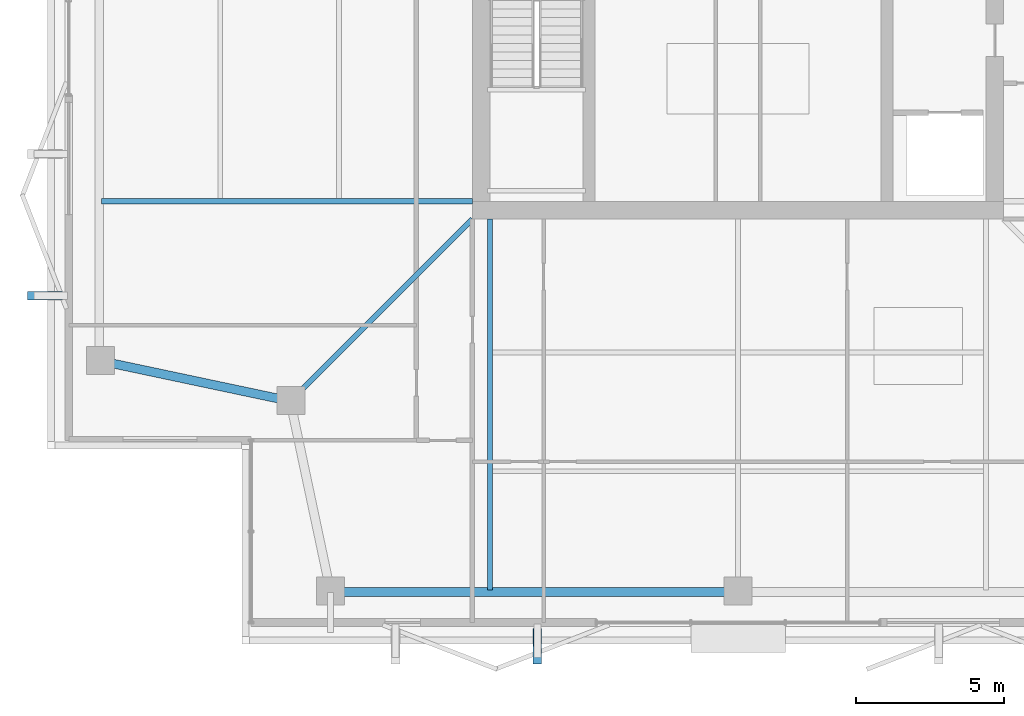
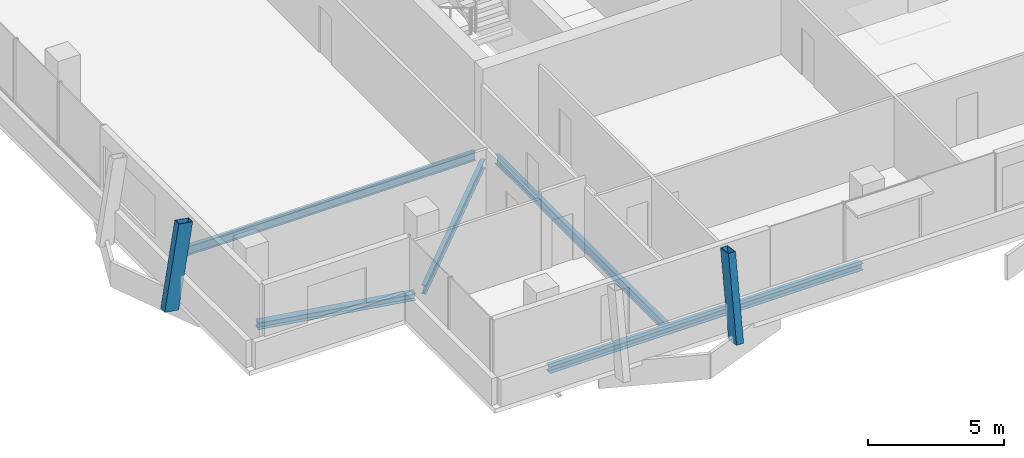
# One storey, part 3 of 26: 5 beams, 2 members.
"""IFC4 building model written with IfcOpenShell, lengths in metres."""

from ifc_helpers import new_model, si_unit, direction, frame, origin, origin_2d, place, context, subcontext, project, spatial, hollow_rectangle, i_section, extrude, material, material_profile, profile_set, type_object, element, save


model = new_model("IFC4")

# Units and contexts
model_context = context("Model", 3, precision=1e-05, world=origin(), true_north=direction((0.0, 1.0)))
body_context = subcontext(model_context, "Body", "Model", "MODEL_VIEW")
ifc_project = project(units=[si_unit("LENGTHUNIT", "METRE"), si_unit("AREAUNIT", "SQUARE_METRE"), si_unit("VOLUMEUNIT", "CUBIC_METRE"), si_unit("PLANEANGLEUNIT", "RADIAN"), si_unit("MASSUNIT", "GRAM", prefix="KILO")], contexts=[model_context])

# Site, building, storey
site_placement = place(None, origin())
site = spatial("IfcSite", under=ifc_project, at=site_placement, CompositionType="ELEMENT")
building_placement = place(site_placement, origin())
building = spatial("IfcBuilding", under=site, at=building_placement, Name="Belovzor Exchange Tower", CompositionType="ELEMENT")
storey_placement = place(building_placement, frame((0.0, 0.0, 295.5)))
storey = spatial("IfcBuildingStorey", under=building, at=storey_placement, Name="L73", CompositionType="ELEMENT", Elevation=295.5)

# Members
ifc_material_1 = material(Name="Extruded Architectural Terracotta on Steel S355 Carrier", Category="masonry")
ifc_material_profile_1 = material_profile(ifc_material_1, hollow_rectangle(XDim=0.300048828125, YDim=0.60009765625, WallThickness=0.01611328125, at=origin_2d()))
ifc_profile_set_1 = profile_set([ifc_material_profile_1], Name="Extruded Architectural Terracotta on Steel S355 Carrier")
member_type = type_object("IfcMemberType", Name="Upper Crown Terracotta Fin Assembly 550", PredefinedType="USERDEFINED", material=ifc_profile_set_1)
for number, where, z_axis, x_axis, name in (
    (1, (5.02490234375, 17.199951171875, -0.239990234375), (0.158015573692, 0.0, 0.987436619977), (0.0, 1.0, 0.0), "FIN-TC055 Terracotta Facade Fin L73 W1"),
    (2, (22.0, 5.02490234375, -0.239990234375), (0.0, 0.158015573692, 0.987436619977), (-1.0, 0.0, 0.0), "FIN-TC055 Terracotta Facade Fin L73 S2"),
):
    element("IfcMember", number, at=place(storey_placement, frame(where, z_axis=z_axis, x_axis=x_axis)), inside=storey, type_object=member_type, Name=name, ObjectType="FIN", PredefinedType="USERDEFINED", context=body_context, shape_type="SweptSolid", body=[
        extrude(hollow_rectangle(XDim=0.300048828125, YDim=0.60009765625, WallThickness=0.01611328125, at=origin_2d()), origin(), (0.0, 0.0, 1.0), 3.797607421875),
    ])

# Beams
ifc_material_2 = material(Name="Steel S355", Category="steel")
ifc_material_profile_2 = material_profile(ifc_material_2, i_section(OverallWidth=0.179931640625, OverallDepth=0.39990234375, WebThickness=0.008544921875, FlangeThickness=0.013427734375, at=origin_2d()))
ifc_profile_set_2 = profile_set([ifc_material_profile_2], Name="Steel S355")
beam_type_1 = type_object("IfcBeamType", Name="Zone 5-6 Radial Composite Floor Beam IPE 400", PredefinedType="BEAM", material=ifc_profile_set_2)
for number, where, z_axis, x_axis, name in (
    (3, (20.39990234375, 19.800048828125, -0.43994140625), (0.0, -1.0, 0.0), (1.0, 0.0, 0.0), "FB-400 Zone 5-6 Radial Composite Floor Beam IPE 400"),
    (4, (19.800048828125, 20.39990234375, -0.43994140625), (-1.0, 0.0, 0.0), (0.0, -1.0, 0.0), "FB-400 Zone 5-6 Radial Composite Floor Beam IPE 400"),
):
    element("IfcBeam", number, at=place(storey_placement, frame(where, z_axis=z_axis, x_axis=x_axis)), inside=storey, type_object=beam_type_1, Name=name, PredefinedType="BEAM", context=body_context, shape_type="SweptSolid", body=[
        extrude(i_section(OverallWidth=0.179931640625, OverallDepth=0.39990234375, WebThickness=0.008544921875, FlangeThickness=0.013427734375, at=origin_2d()), origin(), (0.0, 0.0, 1.0), 12.56396484375),
    ])
beam_1_placement = place(storey_placement, frame((19.800048828125, 19.800048828125, -0.43994140625), z_axis=(-0.707106781187, -0.707106781187, 0.0), x_axis=(0.707106781187, -0.707106781187, 0.0)))
element("IfcBeam", 5, at=beam_1_placement, inside=storey, type_object=beam_type_1, Name="FB-400 Zone 5-6 Radial Composite Floor Beam IPE 400", PredefinedType="BEAM", context=body_context, shape_type="SweptSolid", body=[
    extrude(i_section(OverallWidth=0.179931640625, OverallDepth=0.39990234375, WebThickness=0.008544921875, FlangeThickness=0.013427734375, at=origin_2d()), origin(), (0.0, 0.0, 1.0), 8.387939453125),
])
ifc_material_3 = material(Name="Steel S355", Category="steel")
ifc_material_profile_3 = material_profile(ifc_material_3, i_section(OverallWidth=0.300048828125, OverallDepth=0.300048828125, WebThickness=0.008544921875, FlangeThickness=0.013916015625, at=origin_2d()))
ifc_profile_set_3 = profile_set([ifc_material_profile_3], Name="Steel S355")
beam_type_2 = type_object("IfcBeamType", Name="Zone 6 Primary Girder HEA 300", PredefinedType="BEAM", material=ifc_profile_set_3)
beam_2_placement = place(storey_placement, frame((15.260986328125, 7.160888671875, -0.389892578125), z_axis=(1.0, 0.0, 0.0), x_axis=(0.0, 1.0, 0.0)))
element("IfcBeam", 6, at=beam_2_placement, inside=storey, type_object=beam_type_2, Name="FG-Z6 Zone 6 Primary Girder HEA 300", PredefinedType="BEAM", context=body_context, shape_type="SweptSolid", body=[
    extrude(i_section(OverallWidth=0.300048828125, OverallDepth=0.300048828125, WebThickness=0.008544921875, FlangeThickness=0.013916015625, at=origin_2d()), origin(), (0.0, 0.0, 1.0), 13.278076171875),
])
beam_3_placement = place(storey_placement, frame((7.4169921875, 14.946044921875, -0.389892578125), z_axis=(0.978328468616, -0.20705894691, 0.0), x_axis=(0.20705894691, 0.978328468616, 0.0)))
element("IfcBeam", 7, at=beam_3_placement, inside=storey, type_object=beam_type_2, Name="FG-Z6 Zone 6 Primary Girder HEA 300", PredefinedType="BEAM", context=body_context, shape_type="SweptSolid", body=[
    extrude(i_section(OverallWidth=0.300048828125, OverallDepth=0.300048828125, WebThickness=0.008544921875, FlangeThickness=0.013916015625, at=origin_2d()), origin(), (0.0, 0.0, 1.0), 6.090087890625),
])

save(model, "model.ifc")
